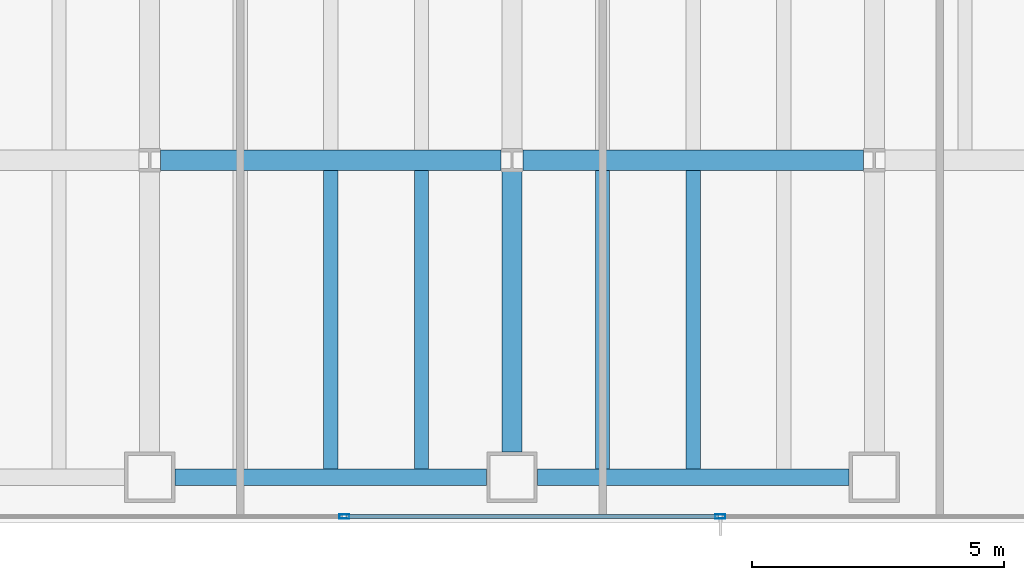
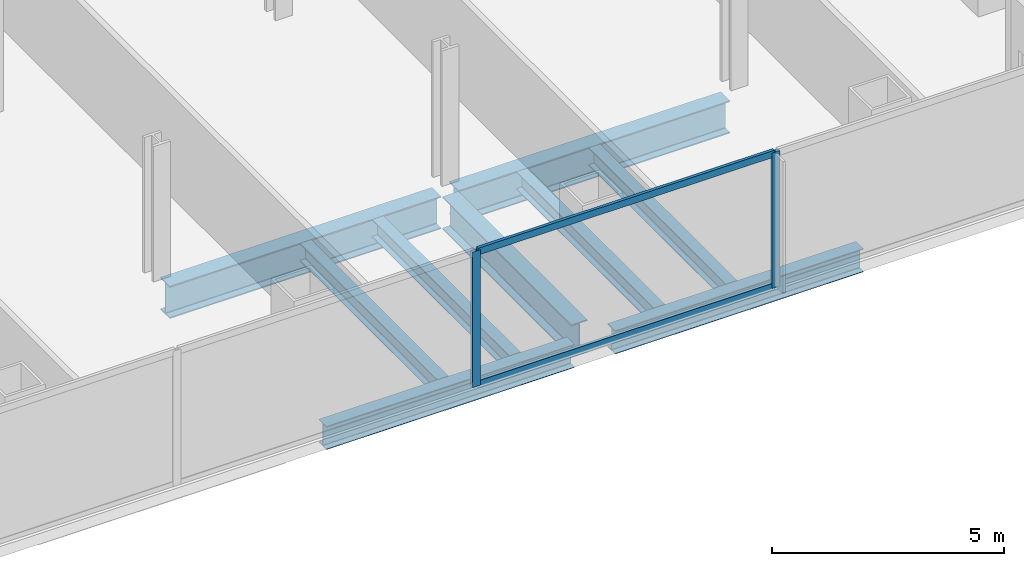
# One storey, part 7 of 25: 9 beams, 4 members, 1 element without a shape of its own.
"""IFC4 building model written with IfcOpenShell, lengths in metres."""

from ifc_helpers import new_model, si_unit, direction, frame, origin, origin_2d, place, context, subcontext, project, spatial, hollow_rectangle, i_section, extrude, material, material_profile, profile_set, type_object, element, aggregate, save


model = new_model("IFC4")

# Units and contexts
model_context = context("Model", 3, precision=1e-05, world=origin(), true_north=direction((0.0, 1.0)))
body_context = subcontext(model_context, "Body", "Model", "MODEL_VIEW")
ifc_project = project(units=[si_unit("LENGTHUNIT", "METRE"), si_unit("AREAUNIT", "SQUARE_METRE"), si_unit("VOLUMEUNIT", "CUBIC_METRE"), si_unit("PLANEANGLEUNIT", "RADIAN"), si_unit("MASSUNIT", "GRAM", prefix="KILO")], contexts=[model_context])

# Site, building, storey
site_placement = place(None, origin())
site = spatial("IfcSite", under=ifc_project, at=site_placement, CompositionType="ELEMENT")
building_placement = place(site_placement, origin())
building = spatial("IfcBuilding", under=site, at=building_placement, Name="Cobrela Telecom Tower", CompositionType="ELEMENT")
storey_placement = place(building_placement, frame((0.0, 0.0, 58.10009765625)))
storey = spatial("IfcBuildingStorey", under=building, at=storey_placement, Name="L14", CompositionType="ELEMENT", Elevation=58.10009765625)

# Beams
ifc_material_1 = material(Name="Steel ASTM A992 Grade 50", Category="steel")
ifc_material_profile_1 = material_profile(ifc_material_1, i_section(OverallWidth=0.39892578125, OverallDepth=0.85595703125, WebThickness=0.018310546875, FlangeThickness=0.029296875, FilletRadius=0.02001953125, at=origin_2d()), Name="W33X201")
ifc_profile_set_1 = profile_set([ifc_material_profile_1], Name="Steel ASTM A992 Grade 50")
beam_type_1 = type_object("IfcBeamType", Name="BM-GIRD-03", PredefinedType="USERDEFINED", material=ifc_profile_set_1)
for number, where, z_axis, x_axis, name in (
    (1, (29.01611328125, 7.199951171875, -0.7080078125), (1.0, 0.0, 0.0), (0.0, 1.0, 0.0), "L14 Primary Girder X10"),
    (2, (36.216064453125, 7.199951171875, -0.7080078125), (1.0, 0.0, 0.0), (0.0, 1.0, 0.0), "L14 Primary Girder X11"),
):
    element("IfcBeam", number, at=place(storey_placement, frame(where, z_axis=z_axis, x_axis=x_axis)), inside=storey, type_object=beam_type_1, Name=name, ObjectType="GIRDER", PredefinedType="USERDEFINED", context=body_context, shape_type="SweptSolid", body=[
        extrude(i_section(OverallWidth=0.39892578125, OverallDepth=0.85595703125, WebThickness=0.018310546875, FlangeThickness=0.029296875, FilletRadius=0.02001953125, at=origin_2d()), origin(), (0.0, 0.0, 1.0), 6.767822265625),
    ])
beam_placement = place(storey_placement, frame((36.0, 1.405029296875, -0.7080078125), z_axis=(0.0, 1.0, 0.0), x_axis=(-1.0, 0.0, 0.0)))
element("IfcBeam", 3, at=beam_placement, inside=storey, type_object=beam_type_1, Name="L14 Primary Girder Y50", ObjectType="GIRDER", PredefinedType="USERDEFINED", context=body_context, shape_type="SweptSolid", body=[
    extrude(i_section(OverallWidth=0.39892578125, OverallDepth=0.85595703125, WebThickness=0.018310546875, FlangeThickness=0.029296875, FilletRadius=0.02001953125, at=origin_2d()), origin(), (0.0, 0.0, 1.0), 5.578857421875),
])
ifc_material_profile_2 = material_profile(ifc_material_1, i_section(OverallWidth=0.281982421875, OverallDepth=0.467041015625, WebThickness=0.01220703125, FlangeThickness=0.01953125, FilletRadius=0.012939453125, at=origin_2d()), Name="W18X86")
ifc_profile_set_2 = profile_set([ifc_material_profile_2], Name="Steel ASTM A992 Grade 50")
beam_type_2 = type_object("IfcBeamType", Name="BM-JOIST-02", PredefinedType="JOIST", material=ifc_profile_set_2)
for number, where, z_axis, x_axis, name in (
    (4, (32.39990234375, 1.0673828125, -0.513671875), (0.0, 1.0, 0.0), (-1.0, 0.0, 0.0), "L14 Secondary Composite Floor Beam J44"),
    (5, (34.199951171875, 1.0673828125, -0.513671875), (0.0, 1.0, 0.0), (-1.0, 0.0, 0.0), "L14 Secondary Composite Floor Beam J47"),
    (6, (37.800048828125, 1.0673828125, -0.513671875), (0.0, 1.0, 0.0), (-1.0, 0.0, 0.0), "L14 Secondary Composite Floor Beam J50"),
    (7, (39.60009765625, 1.0673828125, -0.513671875), (0.0, 1.0, 0.0), (-1.0, 0.0, 0.0), "L14 Secondary Composite Floor Beam J53"),
):
    element("IfcBeam", number, at=place(storey_placement, frame(where, z_axis=z_axis, x_axis=x_axis)), inside=storey, type_object=beam_type_2, Name=name, PredefinedType="JOIST", context=body_context, shape_type="SweptSolid", body=[
        extrude(i_section(OverallWidth=0.281982421875, OverallDepth=0.467041015625, WebThickness=0.01220703125, FlangeThickness=0.01953125, FilletRadius=0.012939453125, at=origin_2d()), origin(), (0.0, 0.0, 1.0), 5.92822265625),
    ])
ifc_material_profile_3 = material_profile(ifc_material_1, i_section(OverallWidth=0.324951171875, OverallDepth=0.612060546875, WebThickness=0.0126953125, FlangeThickness=0.01904296875, FilletRadius=0.014892578125, at=origin_2d()), Name="W24X104")
ifc_profile_set_3 = profile_set([ifc_material_profile_3], Name="Steel ASTM A992 Grade 50")
beam_type_3 = type_object("IfcBeamType", Name="BM-SPAND-02", PredefinedType="SPANDREL", material=ifc_profile_set_3)
for number, where, z_axis, x_axis, name in (
    (8, (29.304931640625, 0.89990234375, -0.586181640625), (1.0, 0.0, 0.0), (0.0, 1.0, 0.0), "L14 Perimeter Spandrel X04"),
    (9, (36.5048828125, 0.89990234375, -0.586181640625), (1.0, 0.0, 0.0), (0.0, 1.0, 0.0), "L14 Perimeter Spandrel X05"),
):
    element("IfcBeam", number, at=place(storey_placement, frame(where, z_axis=z_axis, x_axis=x_axis)), inside=storey, type_object=beam_type_3, Name=name, PredefinedType="SPANDREL", context=body_context, shape_type="SweptSolid", body=[
        extrude(i_section(OverallWidth=0.324951171875, OverallDepth=0.612060546875, WebThickness=0.0126953125, FlangeThickness=0.01904296875, FilletRadius=0.014892578125, at=origin_2d()), origin(), (0.0, 0.0, 1.0), 6.190185546875),
    ])

# Curtain wall, members
ifc_material_2 = material(Name="Anodized Bronze Aluminium 6063-T6", Category="aluminium")
curtain_wall_type = type_object("IfcCurtainWallType", Name="CW-SYS-DATA", PredefinedType="USERDEFINED", material=ifc_material_2)
curtain_wall_placement = place(storey_placement, origin())
curtain_wall = element("IfcCurtainWall", 10, at=curtain_wall_placement, inside=storey, type_object=curtain_wall_type, Name="L14 Unitised Bronze Curtain Wall 17", ObjectType="UNITISED CURTAIN WALL", PredefinedType="USERDEFINED")
ifc_material_profile_4 = material_profile(ifc_material_2, hollow_rectangle(XDim=0.080078125, YDim=0.199951171875, WallThickness=0.00390625, at=origin_2d()), Name="ALU 80x200x4")
ifc_profile_set_4 = profile_set([ifc_material_profile_4], Name="Anodized Bronze Aluminium 6063-T6")
member_type_1 = type_object("IfcMemberType", Name="CW-SYS-DATA-MUL", PredefinedType="MULLION", material=ifc_profile_set_4)
member_1_placement = place(storey_placement, frame((40.139892578125, 0.1201171875, 0.0), z_axis=(0.0, 0.0, 1.0), x_axis=(0.0, -1.0, 0.0)))
member_1 = element("IfcMember", 11, at=member_1_placement, type_object=member_type_1, Name="CW-DATA mullion 2", PredefinedType="MULLION", context=body_context, shape_type="SweptSolid", body=[
    extrude(hollow_rectangle(XDim=0.080078125, YDim=0.199951171875, WallThickness=0.00390625, at=origin_2d()), origin(), (0.0, 0.0, 1.0), 3.56982421875),
])
member_2_placement = place(storey_placement, frame((32.669921875, 0.1201171875, 0.0), z_axis=(0.0, 0.0, 1.0), x_axis=(0.0, -1.0, 0.0)))
member_2 = element("IfcMember", 12, at=member_2_placement, type_object=member_type_1, Name="CW-DATA mullion 3", PredefinedType="MULLION", context=body_context, shape_type="SweptSolid", body=[
    extrude(hollow_rectangle(XDim=0.080078125, YDim=0.199951171875, WallThickness=0.00390625, at=origin_2d()), origin(), (0.0, 0.0, 1.0), 3.56982421875),
])
ifc_material_profile_5 = material_profile(ifc_material_2, hollow_rectangle(XDim=0.074951171875, YDim=0.179931640625, WallThickness=0.00390625, at=origin_2d()), Name="ALU 75x180x4")
ifc_profile_set_5 = profile_set([ifc_material_profile_5], Name="Anodized Bronze Aluminium 6063-T6")
member_type_2 = type_object("IfcMemberType", Name="CW-SYS-DATA-TRN", PredefinedType="USERDEFINED", material=ifc_profile_set_5)
member_3_placement = place(storey_placement, frame((40.10009765625, 0.1201171875, 0.037353515625), z_axis=(-1.0, 0.0, 0.0), x_axis=(0.0, -1.0, 0.0)))
member_3 = element("IfcMember", 13, at=member_3_placement, type_object=member_type_2, Name="CW-DATA transom 2.1", ObjectType="TRANSOM", PredefinedType="USERDEFINED", context=body_context, shape_type="SweptSolid", body=[
    extrude(hollow_rectangle(XDim=0.074951171875, YDim=0.179931640625, WallThickness=0.00390625, at=origin_2d()), origin(), (0.0, 0.0, 1.0), 7.39013671875),
])
member_4_placement = place(storey_placement, frame((40.10009765625, 0.1201171875, 3.532470703125), z_axis=(-1.0, 0.0, 0.0), x_axis=(0.0, -1.0, 0.0)))
member_4 = element("IfcMember", 14, at=member_4_placement, type_object=member_type_2, Name="CW-DATA transom 2.2", ObjectType="TRANSOM", PredefinedType="USERDEFINED", context=body_context, shape_type="SweptSolid", body=[
    extrude(hollow_rectangle(XDim=0.074951171875, YDim=0.179931640625, WallThickness=0.00390625, at=origin_2d()), origin(), (0.0, 0.0, 1.0), 7.39013671875),
])
aggregate(curtain_wall, [member_1, member_2, member_3, member_4])

save(model, "model.ifc")
